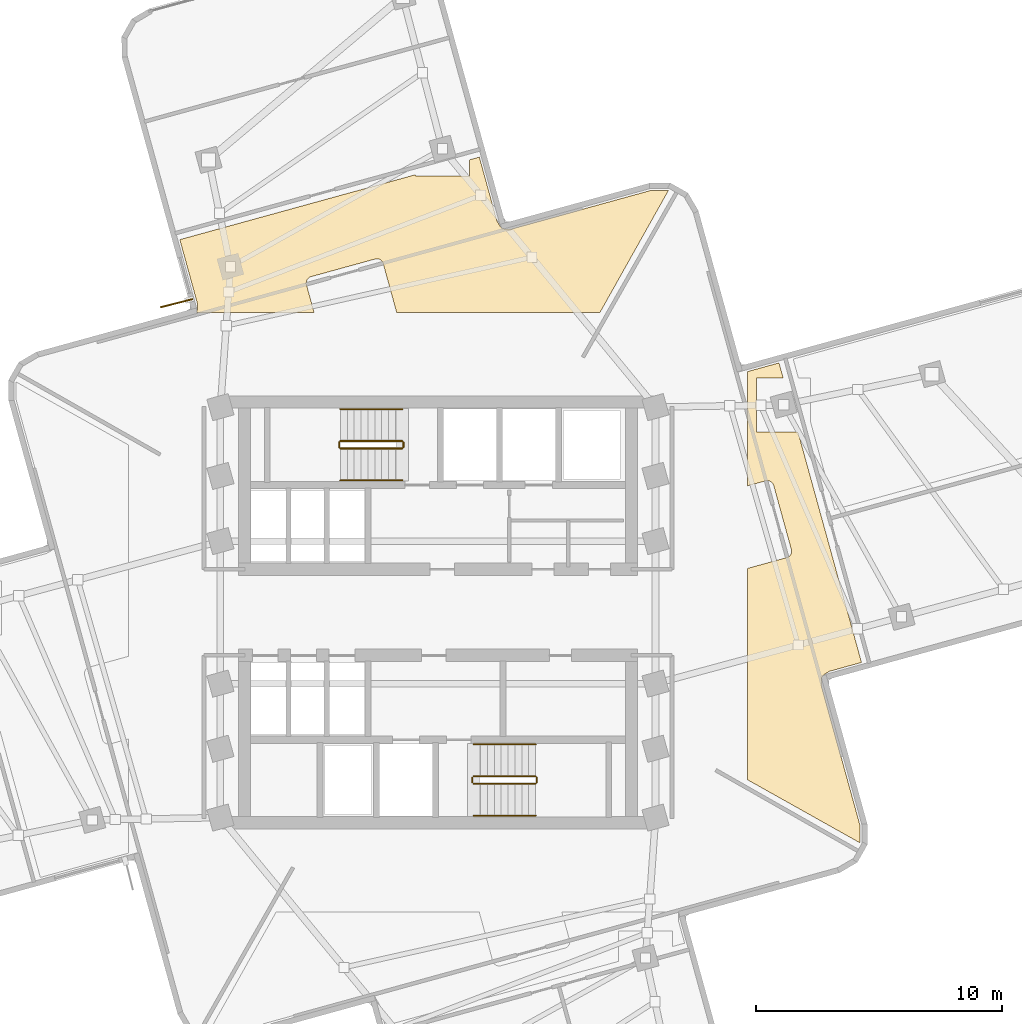
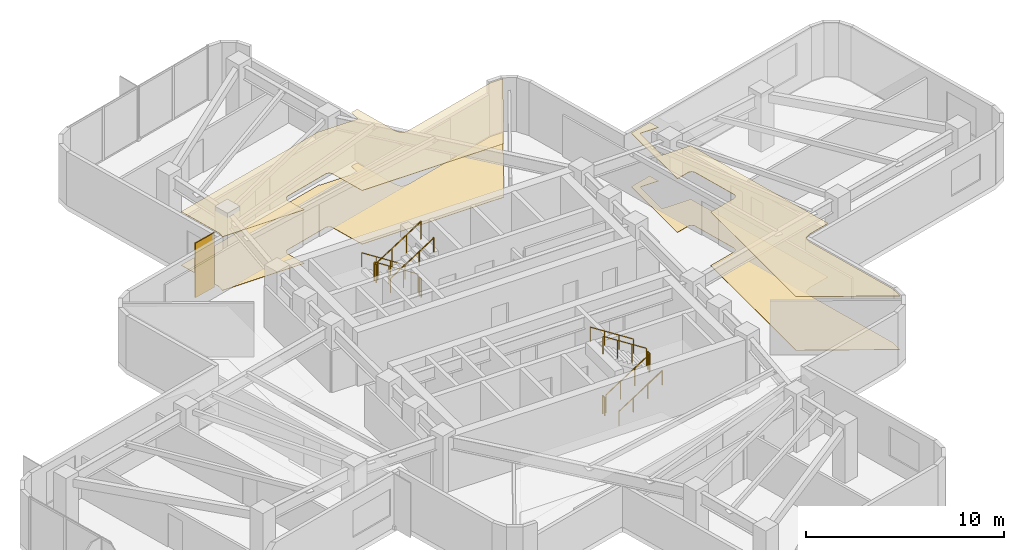
# One storey, part 11 of 12: 12 railings, 4 coverings, 1 shading device.
"""IFC4 building model written with IfcOpenShell, lengths in metres."""

from ifc_helpers import new_model, si_unit, direction, frame, origin, origin_2d, place, context, subcontext, project, spatial, polyline, rectangle, circle, outline, extrude, material, layer, layer_set, type_object, element, save


model = new_model("IFC4")

# Units and contexts
model_context = context("Model", 3, precision=1e-05, world=origin(), true_north=direction((0.0, 1.0)))
body_context = subcontext(model_context, "Body", "Model", "MODEL_VIEW")
ifc_project = project(units=[si_unit("LENGTHUNIT", "METRE"), si_unit("AREAUNIT", "SQUARE_METRE"), si_unit("VOLUMEUNIT", "CUBIC_METRE"), si_unit("PLANEANGLEUNIT", "RADIAN"), si_unit("MASSUNIT", "GRAM", prefix="KILO")], contexts=[model_context])

# Site, building, storey
site_placement = place(None, origin())
site = spatial("IfcSite", under=ifc_project, at=site_placement, CompositionType="ELEMENT")
building_placement = place(site_placement, origin())
building = spatial("IfcBuilding", under=site, at=building_placement, Name="Solmarez Civic Tower", CompositionType="ELEMENT")
storey_placement = place(building_placement, frame((0.0, 0.0, 134.280029296875)))
storey = spatial("IfcBuildingStorey", under=building, at=storey_placement, Name="L35", CompositionType="ELEMENT", Elevation=134.280029296875)

# Coverings
ifc_material_1 = material(Name="Perforated Mineral-Fibre Acoustic Ceiling")
ifc_layer_1 = layer(ifc_material_1, 0.02490234375)
ifc_layer_set_1 = layer_set([ifc_layer_1], Name="Perforated Mineral-Fibre Acoustic Ceiling")
covering_type_1 = type_object("IfcCoveringType", Name="COV-CEIL-ACOUSTIC", PredefinedType="CEILING", material=ifc_layer_set_1)
covering_1_placement = place(storey_placement, frame((0.0, 0.0, 3.294921875)))
element("IfcCovering", 1, at=covering_1_placement, inside=storey, type_object=covering_type_1, Name="L35 Suspended Acoustic Ceiling 2", PredefinedType="CEILING", context=body_context, shape_type="SweptSolid", body=[
    extrude(outline(polyline([(-10.50390625, 15.1650390625), (-9.802001953125, 12.615966796875), (-9.797119140625, 12.596923828125), (-9.79296875, 12.576904296875), (-9.7919921875, 12.570068359375), (-9.7900390625, 12.5390625), (-9.7900390625, 12.532958984375), (-9.7890625, 12.360107421875), (-9.7890625, 12.35205078125), (-9.791015625, 12.321044921875), (-9.7919921875, 12.31396484375), (-9.797119140625, 12.2919921875), (-9.799072265625, 12.283935546875), (-9.800048828125, 12.277099609375), (-9.802001953125, 12.27001953125), (-9.81201171875, 12.242919921875), (-9.81494140625, 12.236083984375), (-9.825927734375, 12.214111328125), (-9.830078125, 12.20703125), (-9.833984375, 12.199951171875), (-5.041015625, 12.199951171875), (-5.35107421875, 13.327880859375), (-5.35400390625, 13.337890625), (-5.35595703125, 13.346923828125), (-5.360107421875, 13.37109375), (-5.361083984375, 13.39501953125), (-5.361083984375, 13.405029296875), (-5.360107421875, 13.427001953125), (-5.35693359375, 13.447998046875), (-5.35595703125, 13.452880859375), (-5.34912109375, 13.47998046875), (-5.345947265625, 13.489013671875), (-5.337890625, 13.508056640625), (-5.3291015625, 13.52587890625), (-5.323974609375, 13.534912109375), (-5.31396484375, 13.552001953125), (-5.301025390625, 13.568115234375), (-5.2880859375, 13.583984375), (-5.281005859375, 13.591064453125), (-5.26806640625, 13.60205078125), (-5.260986328125, 13.60791015625), (-5.243896484375, 13.6220703125), (-5.22509765625, 13.633056640625), (-5.216064453125, 13.637939453125), (-5.195068359375, 13.64794921875), (-5.174072265625, 13.656005859375), (-5.162109375, 13.658935546875), (-2.55908203125, 14.3759765625), (-2.549072265625, 14.37890625), (-2.5400390625, 14.381103515625), (-2.51611328125, 14.385009765625), (-2.491943359375, 14.385986328125), (-2.48193359375, 14.385986328125), (-2.4599609375, 14.385009765625), (-2.43896484375, 14.382080078125), (-2.43408203125, 14.381103515625), (-2.406982421875, 14.3740234375), (-2.39794921875, 14.37109375), (-2.37890625, 14.363037109375), (-2.361083984375, 14.35400390625), (-2.35205078125, 14.34912109375), (-2.3349609375, 14.339111328125), (-2.319091796875, 14.325927734375), (-2.302978515625, 14.31298828125), (-2.2958984375, 14.305908203125), (-2.284912109375, 14.29296875), (-2.279052734375, 14.285888671875), (-2.264892578125, 14.26904296875), (-2.25390625, 14.25), (-2.2490234375, 14.240966796875), (-2.239013671875, 14.219970703125), (-2.23095703125, 14.198974609375), (-2.22802734375, 14.18701171875), (-1.679931640625, 12.199951171875), (6.590087890625, 12.199951171875), (9.376953125, 17.1689453125), (9.3720703125, 17.172119140625), (8.662109375, 17.1669921875), (3.013916015625, 15.611083984375), (3.008056640625, 15.60888671875), (2.97900390625, 15.60302734375), (2.971923828125, 15.60205078125), (2.94091796875, 15.60009765625), (2.93505859375, 15.60009765625), (2.761962890625, 15.59912109375), (2.7548828125, 15.59912109375), (2.72802734375, 15.60107421875), (2.719970703125, 15.60205078125), (2.702880859375, 15.60400390625), (2.68701171875, 15.60791015625), (2.678955078125, 15.611083984375), (2.656005859375, 15.617919921875), (2.634033203125, 15.626953125), (2.6279296875, 15.6298828125), (2.616943359375, 15.635986328125), (2.610107421875, 15.639892578125), (2.593994140625, 15.64990234375), (2.5791015625, 15.660888671875), (2.568115234375, 15.6689453125), (2.552001953125, 15.68408203125), (2.5380859375, 15.698974609375), (2.528076171875, 15.7109375), (2.513916015625, 15.72998046875), (2.510009765625, 15.736083984375), (2.5029296875, 15.7470703125), (2.4189453125, 15.89111328125), (2.408935546875, 15.907958984375), (2.39990234375, 15.925048828125), (2.39306640625, 15.943115234375), (2.39111328125, 15.948974609375), (2.387939453125, 15.958984375), (2.385986328125, 15.968017578125), (1.681884765625, 18.52099609375), (1.282958984375, 18.412109375), (1.282958984375, 17.760009765625), (-0.9169921875, 17.760009765625), (-0.9169921875, 17.805908203125), (-10.50390625, 15.1650390625)])), origin(), (0.0, 0.0, 1.0), 0.025146484375),
])
covering_2_placement = place(storey_placement, frame((0.0, 0.0, 3.294921875)))
element("IfcCovering", 2, at=covering_2_placement, inside=storey, type_object=covering_type_1, Name="L35 Suspended Acoustic Ceiling 4", PredefinedType="CEILING", context=body_context, shape_type="SweptSolid", body=[
    extrude(outline(polyline([(13.658935546875, 5.162109375), (14.3759765625, 2.55908203125), (14.37890625, 2.549072265625), (14.381103515625, 2.5400390625), (14.385009765625, 2.51611328125), (14.385986328125, 2.491943359375), (14.385986328125, 2.48193359375), (14.385009765625, 2.4599609375), (14.382080078125, 2.43896484375), (14.381103515625, 2.43408203125), (14.3740234375, 2.406982421875), (14.37109375, 2.39794921875), (14.363037109375, 2.37890625), (14.35400390625, 2.361083984375), (14.34912109375, 2.35205078125), (14.339111328125, 2.3349609375), (14.325927734375, 2.319091796875), (14.31298828125, 2.302978515625), (14.305908203125, 2.2958984375), (14.29296875, 2.284912109375), (14.285888671875, 2.279052734375), (14.26904296875, 2.264892578125), (14.25, 2.25390625), (14.240966796875, 2.2490234375), (14.219970703125, 2.239013671875), (14.198974609375, 2.23095703125), (14.18701171875, 2.22802734375), (12.60009765625, 1.7900390625), (12.60009765625, -6.81494140625), (17.1689453125, -9.376953125), (17.172119140625, -9.3720703125), (17.1669921875, -8.662109375), (15.611083984375, -3.013916015625), (15.60888671875, -3.008056640625), (15.60302734375, -2.97900390625), (15.60205078125, -2.971923828125), (15.60009765625, -2.94091796875), (15.60009765625, -2.93505859375), (15.59912109375, -2.761962890625), (15.59912109375, -2.7548828125), (15.60107421875, -2.72802734375), (15.60205078125, -2.719970703125), (15.60400390625, -2.702880859375), (15.60791015625, -2.68701171875), (15.611083984375, -2.678955078125), (15.617919921875, -2.656005859375), (15.626953125, -2.634033203125), (15.6298828125, -2.6279296875), (15.635986328125, -2.616943359375), (15.639892578125, -2.610107421875), (15.64990234375, -2.593994140625), (15.660888671875, -2.5791015625), (15.6689453125, -2.568115234375), (15.68408203125, -2.552001953125), (15.698974609375, -2.5380859375), (15.7109375, -2.528076171875), (15.72998046875, -2.513916015625), (15.736083984375, -2.510009765625), (15.7470703125, -2.5029296875), (15.89111328125, -2.4189453125), (15.907958984375, -2.408935546875), (15.925048828125, -2.39990234375), (15.943115234375, -2.39306640625), (15.948974609375, -2.39111328125), (15.958984375, -2.387939453125), (15.967041015625, -2.385986328125), (17.22998046875, -2.037109375), (14.64501953125, 7.344970703125), (12.964111328125, 7.344970703125), (12.964111328125, 9.544921875), (14.0400390625, 9.544921875), (13.873046875, 10.14892578125), (12.615966796875, 9.802001953125), (12.60009765625, 9.798095703125), (12.60009765625, 5.15087890625), (13.327880859375, 5.35107421875), (13.337890625, 5.35400390625), (13.346923828125, 5.35595703125), (13.37109375, 5.360107421875), (13.39501953125, 5.361083984375), (13.405029296875, 5.361083984375), (13.427001953125, 5.360107421875), (13.447998046875, 5.35693359375), (13.452880859375, 5.35595703125), (13.47998046875, 5.34912109375), (13.489013671875, 5.345947265625), (13.508056640625, 5.337890625), (13.52587890625, 5.3291015625), (13.534912109375, 5.323974609375), (13.552001953125, 5.31396484375), (13.568115234375, 5.301025390625), (13.583984375, 5.2880859375), (13.591064453125, 5.281005859375), (13.60205078125, 5.26806640625), (13.60791015625, 5.260986328125), (13.6220703125, 5.243896484375), (13.633056640625, 5.22509765625), (13.637939453125, 5.216064453125), (13.64794921875, 5.195068359375), (13.656005859375, 5.174072265625), (13.658935546875, 5.162109375)])), origin(), (0.0, 0.0, 1.0), 0.025146484375),
])
ifc_material_2 = material(Name="Polished Tropical Stone Terrazzo Flooring", Category="masonry")
ifc_layer_2 = layer(ifc_material_2, 0.02001953125)
ifc_layer_set_2 = layer_set([ifc_layer_2], Name="Polished Tropical Stone Terrazzo Flooring")
covering_type_2 = type_object("IfcCoveringType", Name="COV-FLOOR-TERRAZZO", PredefinedType="FLOORING", material=ifc_layer_set_2)
covering_3_placement = place(storey_placement, origin())
element("IfcCovering", 3, at=covering_3_placement, inside=storey, type_object=covering_type_2, Name="L35 Terrazzo Floor Finish 2", PredefinedType="FLOORING", context=body_context, shape_type="SweptSolid", body=[
    extrude(outline(polyline([(-10.50390625, 15.1650390625), (-9.802001953125, 12.615966796875), (-9.797119140625, 12.596923828125), (-9.79296875, 12.576904296875), (-9.7919921875, 12.570068359375), (-9.7900390625, 12.5390625), (-9.7900390625, 12.532958984375), (-9.7890625, 12.360107421875), (-9.7890625, 12.35205078125), (-9.791015625, 12.321044921875), (-9.7919921875, 12.31396484375), (-9.797119140625, 12.2919921875), (-9.799072265625, 12.283935546875), (-9.800048828125, 12.277099609375), (-9.802001953125, 12.27001953125), (-9.81201171875, 12.242919921875), (-9.81494140625, 12.236083984375), (-9.825927734375, 12.214111328125), (-9.830078125, 12.20703125), (-9.833984375, 12.199951171875), (-5.041015625, 12.199951171875), (-5.35107421875, 13.327880859375), (-5.35400390625, 13.337890625), (-5.35595703125, 13.346923828125), (-5.360107421875, 13.37109375), (-5.361083984375, 13.39501953125), (-5.361083984375, 13.405029296875), (-5.360107421875, 13.427001953125), (-5.35693359375, 13.447998046875), (-5.35595703125, 13.452880859375), (-5.34912109375, 13.47998046875), (-5.345947265625, 13.489013671875), (-5.337890625, 13.508056640625), (-5.3291015625, 13.52587890625), (-5.323974609375, 13.534912109375), (-5.31396484375, 13.552001953125), (-5.301025390625, 13.568115234375), (-5.2880859375, 13.583984375), (-5.281005859375, 13.591064453125), (-5.26806640625, 13.60205078125), (-5.260986328125, 13.60791015625), (-5.243896484375, 13.6220703125), (-5.22509765625, 13.633056640625), (-5.216064453125, 13.637939453125), (-5.195068359375, 13.64794921875), (-5.174072265625, 13.656005859375), (-5.162109375, 13.658935546875), (-2.55908203125, 14.3759765625), (-2.549072265625, 14.37890625), (-2.5400390625, 14.381103515625), (-2.51611328125, 14.385009765625), (-2.491943359375, 14.385986328125), (-2.48193359375, 14.385986328125), (-2.4599609375, 14.385009765625), (-2.43896484375, 14.382080078125), (-2.43408203125, 14.381103515625), (-2.406982421875, 14.3740234375), (-2.39794921875, 14.37109375), (-2.37890625, 14.363037109375), (-2.361083984375, 14.35400390625), (-2.35205078125, 14.34912109375), (-2.3349609375, 14.339111328125), (-2.319091796875, 14.325927734375), (-2.302978515625, 14.31298828125), (-2.2958984375, 14.305908203125), (-2.284912109375, 14.29296875), (-2.279052734375, 14.285888671875), (-2.264892578125, 14.26904296875), (-2.25390625, 14.25), (-2.2490234375, 14.240966796875), (-2.239013671875, 14.219970703125), (-2.23095703125, 14.198974609375), (-2.22802734375, 14.18701171875), (-1.679931640625, 12.199951171875), (6.590087890625, 12.199951171875), (9.376953125, 17.1689453125), (9.3720703125, 17.172119140625), (8.662109375, 17.1669921875), (3.013916015625, 15.611083984375), (3.008056640625, 15.60888671875), (2.97900390625, 15.60302734375), (2.971923828125, 15.60205078125), (2.94091796875, 15.60009765625), (2.93505859375, 15.60009765625), (2.761962890625, 15.59912109375), (2.7548828125, 15.59912109375), (2.72802734375, 15.60107421875), (2.719970703125, 15.60205078125), (2.702880859375, 15.60400390625), (2.68701171875, 15.60791015625), (2.678955078125, 15.611083984375), (2.656005859375, 15.617919921875), (2.634033203125, 15.626953125), (2.6279296875, 15.6298828125), (2.616943359375, 15.635986328125), (2.610107421875, 15.639892578125), (2.593994140625, 15.64990234375), (2.5791015625, 15.660888671875), (2.568115234375, 15.6689453125), (2.552001953125, 15.68408203125), (2.5380859375, 15.698974609375), (2.528076171875, 15.7109375), (2.513916015625, 15.72998046875), (2.510009765625, 15.736083984375), (2.5029296875, 15.7470703125), (2.4189453125, 15.89111328125), (2.408935546875, 15.907958984375), (2.39990234375, 15.925048828125), (2.39306640625, 15.943115234375), (2.39111328125, 15.948974609375), (2.387939453125, 15.958984375), (2.385986328125, 15.968017578125), (1.681884765625, 18.52099609375), (1.282958984375, 18.412109375), (1.282958984375, 17.760009765625), (-0.9169921875, 17.760009765625), (-0.9169921875, 17.805908203125), (-10.50390625, 15.1650390625)])), origin(), (0.0, 0.0, 1.0), 0.02001953125),
])
covering_4_placement = place(storey_placement, origin())
element("IfcCovering", 4, at=covering_4_placement, inside=storey, type_object=covering_type_2, Name="L35 Terrazzo Floor Finish 4", PredefinedType="FLOORING", context=body_context, shape_type="SweptSolid", body=[
    extrude(outline(polyline([(13.658935546875, 5.162109375), (14.3759765625, 2.55908203125), (14.37890625, 2.549072265625), (14.381103515625, 2.5400390625), (14.385009765625, 2.51611328125), (14.385986328125, 2.491943359375), (14.385986328125, 2.48193359375), (14.385009765625, 2.4599609375), (14.382080078125, 2.43896484375), (14.381103515625, 2.43408203125), (14.3740234375, 2.406982421875), (14.37109375, 2.39794921875), (14.363037109375, 2.37890625), (14.35400390625, 2.361083984375), (14.34912109375, 2.35205078125), (14.339111328125, 2.3349609375), (14.325927734375, 2.319091796875), (14.31298828125, 2.302978515625), (14.305908203125, 2.2958984375), (14.29296875, 2.284912109375), (14.285888671875, 2.279052734375), (14.26904296875, 2.264892578125), (14.25, 2.25390625), (14.240966796875, 2.2490234375), (14.219970703125, 2.239013671875), (14.198974609375, 2.23095703125), (14.18701171875, 2.22802734375), (12.60009765625, 1.7900390625), (12.60009765625, -6.81494140625), (17.1689453125, -9.376953125), (17.172119140625, -9.3720703125), (17.1669921875, -8.662109375), (15.611083984375, -3.013916015625), (15.60888671875, -3.008056640625), (15.60302734375, -2.97900390625), (15.60205078125, -2.971923828125), (15.60009765625, -2.94091796875), (15.60009765625, -2.93505859375), (15.59912109375, -2.761962890625), (15.59912109375, -2.7548828125), (15.60107421875, -2.72802734375), (15.60205078125, -2.719970703125), (15.60400390625, -2.702880859375), (15.60791015625, -2.68701171875), (15.611083984375, -2.678955078125), (15.617919921875, -2.656005859375), (15.626953125, -2.634033203125), (15.6298828125, -2.6279296875), (15.635986328125, -2.616943359375), (15.639892578125, -2.610107421875), (15.64990234375, -2.593994140625), (15.660888671875, -2.5791015625), (15.6689453125, -2.568115234375), (15.68408203125, -2.552001953125), (15.698974609375, -2.5380859375), (15.7109375, -2.528076171875), (15.72998046875, -2.513916015625), (15.736083984375, -2.510009765625), (15.7470703125, -2.5029296875), (15.89111328125, -2.4189453125), (15.907958984375, -2.408935546875), (15.925048828125, -2.39990234375), (15.943115234375, -2.39306640625), (15.948974609375, -2.39111328125), (15.958984375, -2.387939453125), (15.967041015625, -2.385986328125), (17.22998046875, -2.037109375), (14.64501953125, 7.344970703125), (12.964111328125, 7.344970703125), (12.964111328125, 9.544921875), (14.0400390625, 9.544921875), (13.873046875, 10.14892578125), (12.615966796875, 9.802001953125), (12.60009765625, 9.798095703125), (12.60009765625, 5.15087890625), (13.327880859375, 5.35107421875), (13.337890625, 5.35400390625), (13.346923828125, 5.35595703125), (13.37109375, 5.360107421875), (13.39501953125, 5.361083984375), (13.405029296875, 5.361083984375), (13.427001953125, 5.360107421875), (13.447998046875, 5.35693359375), (13.452880859375, 5.35595703125), (13.47998046875, 5.34912109375), (13.489013671875, 5.345947265625), (13.508056640625, 5.337890625), (13.52587890625, 5.3291015625), (13.534912109375, 5.323974609375), (13.552001953125, 5.31396484375), (13.568115234375, 5.301025390625), (13.583984375, 5.2880859375), (13.591064453125, 5.281005859375), (13.60205078125, 5.26806640625), (13.60791015625, 5.260986328125), (13.6220703125, 5.243896484375), (13.633056640625, 5.22509765625), (13.637939453125, 5.216064453125), (13.64794921875, 5.195068359375), (13.656005859375, 5.174072265625), (13.658935546875, 5.162109375)])), origin(), (0.0, 0.0, 1.0), 0.02001953125),
])

# Shading device
ifc_material_3 = material(Name="Bronze Anodised Aluminium EN AW-6063 T6", Category="aluminium")
ifc_layer_3 = layer(ifc_material_3, 0.06005859375)
ifc_layer_set_3 = layer_set([ifc_layer_3], Name="Bronze Anodised Aluminium EN AW-6063 T6")
shading_device_type = type_object("IfcShadingDeviceType", Name="FIN-BRONZE-Z34", PredefinedType="USERDEFINED", material=ifc_layer_set_3)
shading_device_placement = place(storey_placement, frame((-10.637939453125, 12.5791015625, -0.0400390625), z_axis=(0.0, 0.0, 1.0), x_axis=(-0.969582204179, -0.244765907223, 0.0)))
element("IfcShadingDevice", 5, at=shading_device_placement, inside=storey, type_object=shading_device_type, Name="L35 Anodised Bronze Solar Fin FIN-L35-04", ObjectType="FIN", PredefinedType="USERDEFINED", context=body_context, shape_type="SweptSolid", body=[
    extrude(rectangle(XDim=1.35009765625, YDim=0.06005859375, at=origin_2d()), origin(), (0.0, 0.0, 1.0), 3.360107421875),
])

# Railings
ifc_material_4 = material(Name="Painted Steel Stairwell Safety Guard", Category="steel")
railing_type_1 = type_object("IfcRailingType", Name="GUARD-STAIR-1120", PredefinedType="BALUSTRADE", material=ifc_material_4)
railing_1_placement = place(storey_placement, frame((-1.449951171875, 6.969970703125, 0.179931640625)))
element("IfcRailing", 6, at=railing_1_placement, inside=storey, type_object=railing_type_1, Name="L35 ST-1 stair guard 1", PredefinedType="BALUSTRADE", context=body_context, shape_type="SweptSolid", body=[
    extrude(circle(Radius=0.02392578125, at=origin_2d()), frame((0.0, 0.0, 1.09619140625), z_axis=(-0.841162588446, 0.0, 0.540782303519), x_axis=(0.0, -1.0, 0.0)), (0.0, 0.0, 1.0), 2.995849609375),
    extrude(circle(Radius=0.02099609375, at=origin_2d()), origin(), (0.0, 0.0, 1.0), 1.072021484375),
    extrude(circle(Radius=0.02099609375, at=origin_2d()), frame((-0.840087890625, 0.0, 0.5400390625)), (0.0, 0.0, 1.0), 1.072021484375),
    extrude(circle(Radius=0.02099609375, at=origin_2d()), frame((-1.679931640625, 0.0, 1.080078125)), (0.0, 0.0, 1.0), 1.072021484375),
    extrude(circle(Radius=0.02099609375, at=origin_2d()), frame((-2.52001953125, 0.0, 1.6201171875)), (0.0, 0.0, 1.0), 1.072021484375),
])
railing_2_placement = place(storey_placement, frame((-4.02001953125, 6.919921875, 1.800048828125)))
element("IfcRailing", 7, at=railing_2_placement, inside=storey, type_object=railing_type_1, Name="L35 ST-1 stair guard 2", PredefinedType="BALUSTRADE", context=body_context, shape_type="SweptSolid", body=[
    extrude(circle(Radius=0.02392578125, at=origin_2d()), frame((0.0, 0.0, 1.09619140625), z_axis=(0.0, -1.0, 0.0), x_axis=(1.0, 0.0, 0.0)), (0.0, 0.0, 1.0), 0.199951171875),
    extrude(circle(Radius=0.02099609375, at=origin_2d()), origin(), (0.0, 0.0, 1.0), 1.072021484375),
    extrude(circle(Radius=0.02099609375, at=origin_2d()), frame((0.0, -0.199951171875, 0.0)), (0.0, 0.0, 1.0), 1.072021484375),
])
railing_3_placement = place(storey_placement, frame((-3.969970703125, 6.669921875, 1.97998046875)))
element("IfcRailing", 8, at=railing_3_placement, inside=storey, type_object=railing_type_1, Name="L35 ST-1 stair guard 3", PredefinedType="BALUSTRADE", context=body_context, shape_type="SweptSolid", body=[
    extrude(circle(Radius=0.02392578125, at=origin_2d()), frame((0.0, 0.0, 1.09619140625), z_axis=(0.841199657755, 0.0, 0.540724639528), x_axis=(0.0, 1.0, 0.0)), (0.0, 0.0, 1.0), 2.995849609375),
    extrude(circle(Radius=0.02099609375, at=origin_2d()), origin(), (0.0, 0.0, 1.0), 1.072021484375),
    extrude(circle(Radius=0.02099609375, at=origin_2d()), frame((0.840087890625, 0.0, 0.5400390625)), (0.0, 0.0, 1.0), 1.072021484375),
    extrude(circle(Radius=0.02099609375, at=origin_2d()), frame((1.679931640625, 0.0, 1.079833984375)), (0.0, 0.0, 1.0), 1.072021484375),
    extrude(circle(Radius=0.02099609375, at=origin_2d()), frame((2.52001953125, 0.0, 1.619873046875)), (0.0, 0.0, 1.0), 1.072021484375),
])
railing_4_placement = place(storey_placement, frame((-1.39990234375, 6.919921875, 0.0)))
element("IfcRailing", 9, at=railing_4_placement, inside=storey, type_object=railing_type_1, Name="L35 ST-1 stair guard 4", PredefinedType="BALUSTRADE", context=body_context, shape_type="SweptSolid", body=[
    extrude(circle(Radius=0.02392578125, at=origin_2d()), frame((0.0, 0.0, 1.09619140625), z_axis=(0.0, -1.0, 0.0), x_axis=(1.0, 0.0, 0.0)), (0.0, 0.0, 1.0), 0.199951171875),
    extrude(circle(Radius=0.02099609375, at=origin_2d()), origin(), (0.0, 0.0, 1.0), 1.072021484375),
    extrude(circle(Radius=0.02099609375, at=origin_2d()), frame((0.0, -0.199951171875, 0.0)), (0.0, 0.0, 1.0), 1.072021484375),
])
railing_5_placement = place(storey_placement, frame((1.449951171875, -6.969970703125, 0.179931640625)))
element("IfcRailing", 10, at=railing_5_placement, inside=storey, type_object=railing_type_1, Name="L35 ST-2 stair guard 1", PredefinedType="BALUSTRADE", context=body_context, shape_type="SweptSolid", body=[
    extrude(circle(Radius=0.02392578125, at=origin_2d()), frame((0.0, 0.0, 1.09619140625), z_axis=(0.841162588446, 0.0, 0.540782303519), x_axis=(0.0, 1.0, 0.0)), (0.0, 0.0, 1.0), 2.995849609375),
    extrude(circle(Radius=0.02099609375, at=origin_2d()), origin(), (0.0, 0.0, 1.0), 1.072021484375),
    extrude(circle(Radius=0.02099609375, at=origin_2d()), frame((0.840087890625, 0.0, 0.5400390625)), (0.0, 0.0, 1.0), 1.072021484375),
    extrude(circle(Radius=0.02099609375, at=origin_2d()), frame((1.679931640625, 0.0, 1.080078125)), (0.0, 0.0, 1.0), 1.072021484375),
    extrude(circle(Radius=0.02099609375, at=origin_2d()), frame((2.52001953125, 0.0, 1.6201171875)), (0.0, 0.0, 1.0), 1.072021484375),
])
railing_6_placement = place(storey_placement, frame((4.02001953125, -6.919921875, 1.800048828125)))
element("IfcRailing", 11, at=railing_6_placement, inside=storey, type_object=railing_type_1, Name="L35 ST-2 stair guard 2", PredefinedType="BALUSTRADE", context=body_context, shape_type="SweptSolid", body=[
    extrude(circle(Radius=0.02392578125, at=origin_2d()), frame((0.0, 0.0, 1.09619140625), z_axis=(0.0, 1.0, 0.0), x_axis=(-1.0, 0.0, 0.0)), (0.0, 0.0, 1.0), 0.199951171875),
    extrude(circle(Radius=0.02099609375, at=origin_2d()), origin(), (0.0, 0.0, 1.0), 1.072021484375),
    extrude(circle(Radius=0.02099609375, at=origin_2d()), frame((0.0, 0.199951171875, 0.0)), (0.0, 0.0, 1.0), 1.072021484375),
])
railing_7_placement = place(storey_placement, frame((3.969970703125, -6.669921875, 1.97998046875)))
element("IfcRailing", 12, at=railing_7_placement, inside=storey, type_object=railing_type_1, Name="L35 ST-2 stair guard 3", PredefinedType="BALUSTRADE", context=body_context, shape_type="SweptSolid", body=[
    extrude(circle(Radius=0.02392578125, at=origin_2d()), frame((0.0, 0.0, 1.09619140625), z_axis=(-0.841199657755, 0.0, 0.540724639528), x_axis=(0.0, -1.0, 0.0)), (0.0, 0.0, 1.0), 2.995849609375),
    extrude(circle(Radius=0.02099609375, at=origin_2d()), origin(), (0.0, 0.0, 1.0), 1.072021484375),
    extrude(circle(Radius=0.02099609375, at=origin_2d()), frame((-0.840087890625, 0.0, 0.5400390625)), (0.0, 0.0, 1.0), 1.072021484375),
    extrude(circle(Radius=0.02099609375, at=origin_2d()), frame((-1.679931640625, 0.0, 1.079833984375)), (0.0, 0.0, 1.0), 1.072021484375),
    extrude(circle(Radius=0.02099609375, at=origin_2d()), frame((-2.52001953125, 0.0, 1.619873046875)), (0.0, 0.0, 1.0), 1.072021484375),
])
railing_8_placement = place(storey_placement, frame((1.39990234375, -6.919921875, 0.0)))
element("IfcRailing", 13, at=railing_8_placement, inside=storey, type_object=railing_type_1, Name="L35 ST-2 stair guard 4", PredefinedType="BALUSTRADE", context=body_context, shape_type="SweptSolid", body=[
    extrude(circle(Radius=0.02392578125, at=origin_2d()), frame((0.0, 0.0, 1.09619140625), z_axis=(0.0, 1.0, 0.0), x_axis=(-1.0, 0.0, 0.0)), (0.0, 0.0, 1.0), 0.199951171875),
    extrude(circle(Radius=0.02099609375, at=origin_2d()), origin(), (0.0, 0.0, 1.0), 1.072021484375),
    extrude(circle(Radius=0.02099609375, at=origin_2d()), frame((0.0, 0.199951171875, 0.0)), (0.0, 0.0, 1.0), 1.072021484375),
])
ifc_material_5 = material(Name="Brushed Stainless Steel Tube Handrail", Category="steel")
railing_type_2 = type_object("IfcRailingType", Name="HANDRAIL-STAIR-900", PredefinedType="HANDRAIL", material=ifc_material_5)
railing_9_placement = place(storey_placement, frame((-1.449951171875, 8.27001953125, 0.179931640625)))
element("IfcRailing", 14, at=railing_9_placement, inside=storey, type_object=railing_type_2, Name="L35 ST-1 stair handrail 1", PredefinedType="HANDRAIL", context=body_context, shape_type="SweptSolid", body=[
    extrude(circle(Radius=0.02392578125, at=origin_2d()), frame((0.0, 0.0, 0.8759765625), z_axis=(-0.841162588446, 0.0, 0.540782303519), x_axis=(0.0, -1.0, 0.0)), (0.0, 0.0, 1.0), 2.995849609375),
    extrude(circle(Radius=0.02099609375, at=origin_2d()), origin(), (0.0, 0.0, 1.0), 0.851806640625),
    extrude(circle(Radius=0.02099609375, at=origin_2d()), frame((-0.840087890625, 0.0, 0.5400390625)), (0.0, 0.0, 1.0), 0.851806640625),
    extrude(circle(Radius=0.02099609375, at=origin_2d()), frame((-1.679931640625, 0.0, 1.080078125)), (0.0, 0.0, 1.0), 0.851806640625),
    extrude(circle(Radius=0.02099609375, at=origin_2d()), frame((-2.52001953125, 0.0, 1.6201171875)), (0.0, 0.0, 1.0), 0.851806640625),
])
railing_10_placement = place(storey_placement, frame((-3.969970703125, 5.3701171875, 1.97998046875)))
element("IfcRailing", 15, at=railing_10_placement, inside=storey, type_object=railing_type_2, Name="L35 ST-1 stair handrail 2", PredefinedType="HANDRAIL", context=body_context, shape_type="SweptSolid", body=[
    extrude(circle(Radius=0.02392578125, at=origin_2d()), frame((0.0, 0.0, 0.8759765625), z_axis=(0.841199657755, 0.0, 0.540724639528), x_axis=(0.0, 1.0, 0.0)), (0.0, 0.0, 1.0), 2.995849609375),
    extrude(circle(Radius=0.02099609375, at=origin_2d()), origin(), (0.0, 0.0, 1.0), 0.851806640625),
    extrude(circle(Radius=0.02099609375, at=origin_2d()), frame((0.840087890625, 0.0, 0.5400390625)), (0.0, 0.0, 1.0), 0.851806640625),
    extrude(circle(Radius=0.02099609375, at=origin_2d()), frame((1.679931640625, 0.0, 1.079833984375)), (0.0, 0.0, 1.0), 0.851806640625),
    extrude(circle(Radius=0.02099609375, at=origin_2d()), frame((2.52001953125, 0.0, 1.619873046875)), (0.0, 0.0, 1.0), 0.851806640625),
])
railing_11_placement = place(storey_placement, frame((1.449951171875, -8.27001953125, 0.179931640625)))
element("IfcRailing", 16, at=railing_11_placement, inside=storey, type_object=railing_type_2, Name="L35 ST-2 stair handrail 1", PredefinedType="HANDRAIL", context=body_context, shape_type="SweptSolid", body=[
    extrude(circle(Radius=0.02392578125, at=origin_2d()), frame((0.0, 0.0, 0.8759765625), z_axis=(0.841162588446, 0.0, 0.540782303519), x_axis=(0.0, 1.0, 0.0)), (0.0, 0.0, 1.0), 2.995849609375),
    extrude(circle(Radius=0.02099609375, at=origin_2d()), origin(), (0.0, 0.0, 1.0), 0.851806640625),
    extrude(circle(Radius=0.02099609375, at=origin_2d()), frame((0.840087890625, 0.0, 0.5400390625)), (0.0, 0.0, 1.0), 0.851806640625),
    extrude(circle(Radius=0.02099609375, at=origin_2d()), frame((1.679931640625, 0.0, 1.080078125)), (0.0, 0.0, 1.0), 0.851806640625),
    extrude(circle(Radius=0.02099609375, at=origin_2d()), frame((2.52001953125, 0.0, 1.6201171875)), (0.0, 0.0, 1.0), 0.851806640625),
])
railing_12_placement = place(storey_placement, frame((3.969970703125, -5.3701171875, 1.97998046875)))
element("IfcRailing", 17, at=railing_12_placement, inside=storey, type_object=railing_type_2, Name="L35 ST-2 stair handrail 2", PredefinedType="HANDRAIL", context=body_context, shape_type="SweptSolid", body=[
    extrude(circle(Radius=0.02392578125, at=origin_2d()), frame((0.0, 0.0, 0.8759765625), z_axis=(-0.841199657755, 0.0, 0.540724639528), x_axis=(0.0, -1.0, 0.0)), (0.0, 0.0, 1.0), 2.995849609375),
    extrude(circle(Radius=0.02099609375, at=origin_2d()), origin(), (0.0, 0.0, 1.0), 0.851806640625),
    extrude(circle(Radius=0.02099609375, at=origin_2d()), frame((-0.840087890625, 0.0, 0.5400390625)), (0.0, 0.0, 1.0), 0.851806640625),
    extrude(circle(Radius=0.02099609375, at=origin_2d()), frame((-1.679931640625, 0.0, 1.079833984375)), (0.0, 0.0, 1.0), 0.851806640625),
    extrude(circle(Radius=0.02099609375, at=origin_2d()), frame((-2.52001953125, 0.0, 1.619873046875)), (0.0, 0.0, 1.0), 0.851806640625),
])

save(model, "model.ifc")
